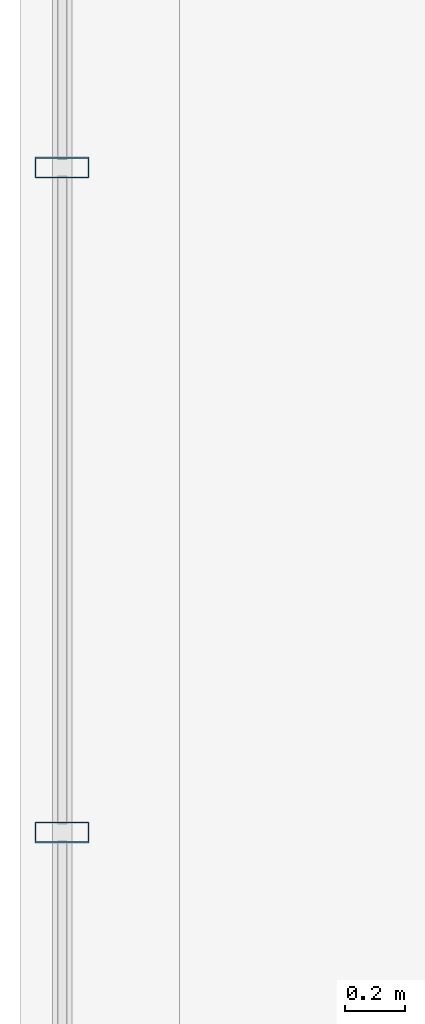
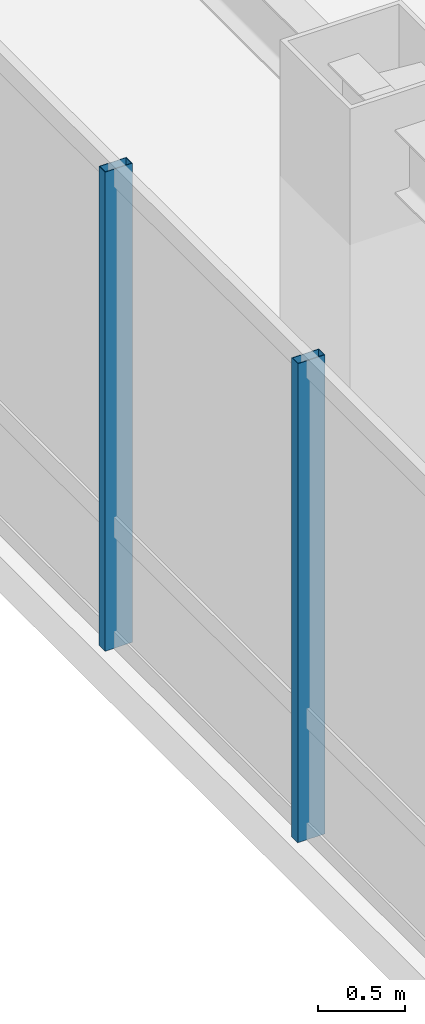
# One storey, part 6 of 26: 2 members, 1 element without a shape of its own.
"""IFC4 building model written with IfcOpenShell, lengths in metres."""

import ifcopenshell
import ifcopenshell.guid

model = None  # the IFC model being written
_history = None  # IfcOwnerHistory: only IFC2X3 demands one
_inside = {}  # id of a spatial element -> (the spatial element, [elements in it])
_under = {}  # id of a project, library or spatial element -> (it, [spatial elements below it])
_declared = {}  # id of a project -> (the project, [libraries it declares])
_typed = {}  # id of a type object -> (the type object, [elements of that type])
_made_of = {}  # id of a material, layer set ... -> (it, [elements and type objects made of it])


def new_model(schema):
    """Start an empty IFC model of exactly this schema.

    Asked for "IFC4X3", IfcOpenShell would pick the latest addendum, in which some entities
    have other attributes; the version numbers below select the first issue.
    IFC2X3 requires an IfcOwnerHistory on every rooted entity: one is made here for all.
    """
    global model, _history
    if schema == "IFC4X3":
        model = ifcopenshell.file(schema_version=(4, 3, 0, 0))
    else:
        model = ifcopenshell.file(schema=schema)
    _inside.clear()
    _under.clear()
    _declared.clear()
    _typed.clear()
    _made_of.clear()
    _history = None
    if model.schema == "IFC2X3":
        org = make("IfcOrganization", Name="unknown")
        user = make(
            "IfcPersonAndOrganization",
            ThePerson=make("IfcPerson", FamilyName="unknown"),
            TheOrganization=org,
        )
        app = make(
            "IfcApplication",
            ApplicationDeveloper=org,
            Version="unknown",
            ApplicationFullName="unknown",
            ApplicationIdentifier="unknown",
        )
        _history = make(
            "IfcOwnerHistory",
            OwningUser=user,
            OwningApplication=app,
            ChangeAction="ADDED",
            CreationDate=0,
        )
    return model


def make(cls, **values):
    """One entity of the class cls with the attributes given. An attribute that is None is left unset."""
    return model.create_entity(
        cls, **{name: value for name, value in values.items() if value is not None}
    )


def rooted(cls, **values):
    """An entity with a GlobalId (a new one), such as an element, a storey or a relation."""
    return make(cls, GlobalId=ifcopenshell.guid.new(), OwnerHistory=_history, **values)


def si_unit(unit_type, name, prefix=None):
    """IfcSIUnit, for example si_unit("LENGTHUNIT", "METRE", prefix="MILLI")."""
    return make("IfcSIUnit", UnitType=unit_type, Prefix=prefix, Name=name)


def assignment(units):
    """IfcUnitAssignment: the units of a project."""
    return None if units is None else make("IfcUnitAssignment", Units=units)


def point(xyz):
    """IfcCartesianPoint."""
    return None if xyz is None else make("IfcCartesianPoint", Coordinates=xyz)


def direction(xyz):
    """IfcDirection."""
    return None if xyz is None else make("IfcDirection", DirectionRatios=xyz)


def frame(location, z_axis=None, x_axis=None):
    """IfcAxis2Placement3D, a coordinate frame: its origin and axes. An axis left out is left unset."""
    return make(
        "IfcAxis2Placement3D",
        Location=point(location),
        Axis=direction(z_axis),
        RefDirection=direction(x_axis),
    )


def frame_2d(location, x_axis=None):
    """IfcAxis2Placement2D, a coordinate frame in the plane: its origin and x axis."""
    return make(
        "IfcAxis2Placement2D", Location=point(location), RefDirection=direction(x_axis)
    )


def origin():
    """The frame at (0, 0, 0) with its axes left unset."""
    return frame((0.0, 0.0, 0.0))


def origin_2d():
    """The frame at (0, 0) in the plane with its x axis left unset."""
    return frame_2d((0.0, 0.0))


def place(relative_to, where):
    """IfcLocalPlacement: puts the frame where relative to a parent placement (None: the world)."""
    return make(
        "IfcLocalPlacement", PlacementRelTo=relative_to, RelativePlacement=where
    )


def context(
    kind, dimensions, precision=None, world=None, true_north=None, identifier=None
):
    """IfcGeometricRepresentationContext, for example the 3D "Model" context."""
    return make(
        "IfcGeometricRepresentationContext",
        ContextIdentifier=identifier,
        ContextType=kind,
        CoordinateSpaceDimension=dimensions,
        Precision=precision,
        WorldCoordinateSystem=world,
        TrueNorth=true_north,
    )


def subcontext(parent, identifier, kind, view, scale=None):
    """IfcGeometricRepresentationSubContext, for example "Body" below "Model"."""
    return make(
        "IfcGeometricRepresentationSubContext",
        ContextIdentifier=identifier,
        ContextType=kind,
        ParentContext=parent,
        TargetScale=scale,
        TargetView=view,
    )


def project(units=None, contexts=None):
    """IfcProject with its units and contexts."""
    return rooted(
        "IfcProject",
        Name="project",
        RepresentationContexts=contexts,
        UnitsInContext=assignment(units),
    )


def spatial(cls, under=None, at=None, **own):
    """A site, building, storey or space (cls), placed at a placement, below another one or the project."""
    s = rooted(cls, ObjectPlacement=at, **own)
    if under is not None:
        _under.setdefault(under.id(), (under, []))[1].append(s)
    return s


def profile(cls, at=None, kind="AREA", **sizes):
    """A parametric profile (cls). Its sizes go by their IFC names, for example OverallWidth=200.0."""
    return make(cls, ProfileType=kind, Position=at, **sizes)


def hollow_rectangle(**sizes):
    """IfcRectangleHollowProfileDef."""
    return profile("IfcRectangleHollowProfileDef", **sizes)


def extrude(swept, where, along, depth):
    """IfcExtrudedAreaSolid: the profile swept, set in the frame where, extruded along a direction by depth."""
    return make(
        "IfcExtrudedAreaSolid",
        SweptArea=swept,
        Position=where,
        ExtrudedDirection=direction(along),
        Depth=depth,
    )


def shape(context_of_items, identifier, shape_type, items):
    """IfcShapeRepresentation: the items that make up one representation, for example the "Body"."""
    return make(
        "IfcShapeRepresentation",
        ContextOfItems=context_of_items,
        RepresentationIdentifier=identifier,
        RepresentationType=shape_type,
        Items=items,
    )


def material(Name=None, Category=None):
    """IfcMaterial."""
    return make("IfcMaterial", Name=Name, Category=Category)


def layer(
    of_material, thickness, ventilated=None, Name=None, Category=None, Priority=None
):
    """IfcMaterialLayer: one layer of a wall or slab, of a material (None: an air gap)."""
    return make(
        "IfcMaterialLayer",
        Material=of_material,
        LayerThickness=thickness,
        IsVentilated=ventilated,
        Name=Name,
        Category=Category,
        Priority=Priority,
    )


def layer_set(layers, Name=None):
    """IfcMaterialLayerSet."""
    return make("IfcMaterialLayerSet", MaterialLayers=layers, LayerSetName=Name)


def material_profile(
    of_material, cross_section, Name=None, Category=None, Priority=None
):
    """IfcMaterialProfile: a cross section and its material."""
    return make(
        "IfcMaterialProfile",
        Name=Name,
        Material=of_material,
        Profile=cross_section,
        Priority=Priority,
        Category=Category,
    )


def profile_set(profiles, Name=None, composite=None):
    """IfcMaterialProfileSet."""
    return make(
        "IfcMaterialProfileSet",
        Name=Name,
        MaterialProfiles=profiles,
        CompositeProfile=composite,
    )


def made_of(thing, what):
    """Note that an element or type object is made of a material, layer set ...; save() writes the relation."""
    if what is not None:
        _made_of.setdefault(what.id(), (what, []))[1].append(thing)
    return thing


def type_object(cls, material=None, **own):
    """A type object (cls), such as IfcWallType, which elements share."""
    return made_of(rooted(cls, **own), material)


def element(
    cls,
    number,
    at=None,
    inside=None,
    cuts=None,
    type_object=None,
    material=None,
    context=None,
    identifier="Body",
    shape_type=None,
    held_by="IfcProductDefinitionShape",
    body=None,
    shapes=None,
    **own,
):
    """One element of the class cls, such as IfcWall. Its Tag is "e" and its number.

    at: its placement. inside: the storey or other place that contains it. cuts: it is an
    opening in that element (IfcRelVoidsElement). A single representation is given by context,
    identifier, shape_type and body (its items); several are given by shapes. held_by: the class
    of the entity that holds the representations. save() writes the other relations.
    """
    e = rooted(cls, Tag="e%d" % number, ObjectPlacement=at, **own)
    if body is not None:
        shapes = [shape(context, identifier, shape_type, body)]
    if shapes is not None:
        e.Representation = make(held_by, Representations=shapes)
    if inside is not None:
        _inside.setdefault(inside.id(), (inside, []))[1].append(e)
    if cuts is not None:
        rooted(
            "IfcRelVoidsElement", RelatingBuildingElement=cuts, RelatedOpeningElement=e
        )
    if type_object is not None:
        _typed.setdefault(type_object.id(), (type_object, []))[1].append(e)
    return made_of(e, material)


def aggregate(whole, parts):
    """IfcRelAggregates: a whole, such as a stair, and the parts it consists of."""
    return rooted("IfcRelAggregates", RelatingObject=whole, RelatedObjects=parts)


def save(model, path):
    """Write the relations noted so far, then the file.

    IfcRelAggregates (storeys below a building ...), IfcRelContainedInSpatialStructure (elements
    in a storey), IfcRelDefinesByType, IfcRelAssociatesMaterial and IfcRelDeclares: one each for
    every whole, place, type object, material and project.
    """
    for whole, parts in _under.values():
        aggregate(whole, parts)
    for where, things in _inside.values():
        rooted(
            "IfcRelContainedInSpatialStructure",
            RelatedElements=things,
            RelatingStructure=where,
        )
    for kind, things in _typed.values():
        rooted("IfcRelDefinesByType", RelatedObjects=things, RelatingType=kind)
    for what, things in _made_of.values():
        rooted("IfcRelAssociatesMaterial", RelatedObjects=things, RelatingMaterial=what)
    for by, libraries in _declared.values():
        rooted("IfcRelDeclares", RelatingContext=by, RelatedDefinitions=libraries)
    model.write(path)


model = new_model("IFC4")

# Units and contexts
model_context = context("Model", 3, precision=1e-05, world=origin(), true_north=direction((0.0, 1.0)))
body_context = subcontext(model_context, "Body", "Model", "MODEL_VIEW")
ifc_project = project(units=[si_unit("LENGTHUNIT", "METRE"), si_unit("AREAUNIT", "SQUARE_METRE"), si_unit("VOLUMEUNIT", "CUBIC_METRE"), si_unit("PLANEANGLEUNIT", "RADIAN"), si_unit("MASSUNIT", "GRAM", prefix="KILO")], contexts=[model_context])

# Site, building, storey
site_placement = place(None, origin())
site = spatial("IfcSite", under=ifc_project, at=site_placement, CompositionType="ELEMENT")
building_placement = place(site_placement, origin())
building = spatial("IfcBuilding", under=site, at=building_placement, Name="Hatsunagi Terrace Concourse", CompositionType="ELEMENT")
storey_placement = place(building_placement, frame((0.0, 0.0, 134.85009765625)))
storey = spatial("IfcBuildingStorey", under=building, at=storey_placement, Name="L35", CompositionType="ELEMENT", Elevation=134.85009765625)

# Curtain wall, members
ifc_material_1 = material(Name="Anodised Aluminium Alloy 6063-T5", Category="aluminium")
ifc_layer = layer(ifc_material_1, 0.199951171875)
ifc_layer_set = layer_set([ifc_layer], Name="OfficeZone1_CW03")
curtain_wall_type = type_object("IfcCurtainWallType", Name="OfficeZone1_CW03", PredefinedType="NOTDEFINED", material=ifc_layer_set)
curtain_wall_placement = place(storey_placement, origin())
curtain_wall = element("IfcCurtainWall", 1, at=curtain_wall_placement, inside=storey, type_object=curtain_wall_type, Name="Unitised Curtain Wall CW-03 CW-L35-09", PredefinedType="NOTDEFINED")
ifc_material_2 = material(Name="Anodised Aluminium Alloy 6063-T5", Category="aluminium")
ifc_material_profile = material_profile(ifc_material_2, hollow_rectangle(XDim=0.070068359375, YDim=0.179931640625, WallThickness=0.00390625, at=origin_2d()), Name="ALU-MUL-180x70x4")
ifc_profile_set = profile_set([ifc_material_profile], Name="Anodised Aluminium Alloy 6063-T5")
member_type = type_object("IfcMemberType", Name="CurtainWallMullion_180x70", PredefinedType="MULLION", material=ifc_profile_set)
member_1_placement = place(storey_placement, frame((9.739990234375, 34.69189453125, 0.0), z_axis=(0.0, 0.0, 1.0), x_axis=(0.0, 1.0, 0.0)))
member_1 = element("IfcMember", 2, at=member_1_placement, type_object=member_type, Name="Curtain Wall Mullion MUL-02", PredefinedType="MULLION", context=body_context, shape_type="SweptSolid", body=[
    extrude(hollow_rectangle(XDim=0.070068359375, YDim=0.179931640625, WallThickness=0.00390625, at=origin_2d()), origin(), (0.0, 0.0, 1.0), 3.349853515625),
])
member_2_placement = place(storey_placement, frame((9.739990234375, 36.89990234375, 0.0), z_axis=(0.0, 0.0, 1.0), x_axis=(0.0, 1.0, 0.0)))
member_2 = element("IfcMember", 3, at=member_2_placement, type_object=member_type, Name="Curtain Wall Mullion MUL-02", PredefinedType="MULLION", context=body_context, shape_type="SweptSolid", body=[
    extrude(hollow_rectangle(XDim=0.070068359375, YDim=0.179931640625, WallThickness=0.00390625, at=origin_2d()), origin(), (0.0, 0.0, 1.0), 3.349853515625),
])
aggregate(curtain_wall, [member_1, member_2])

save(model, "model.ifc")
